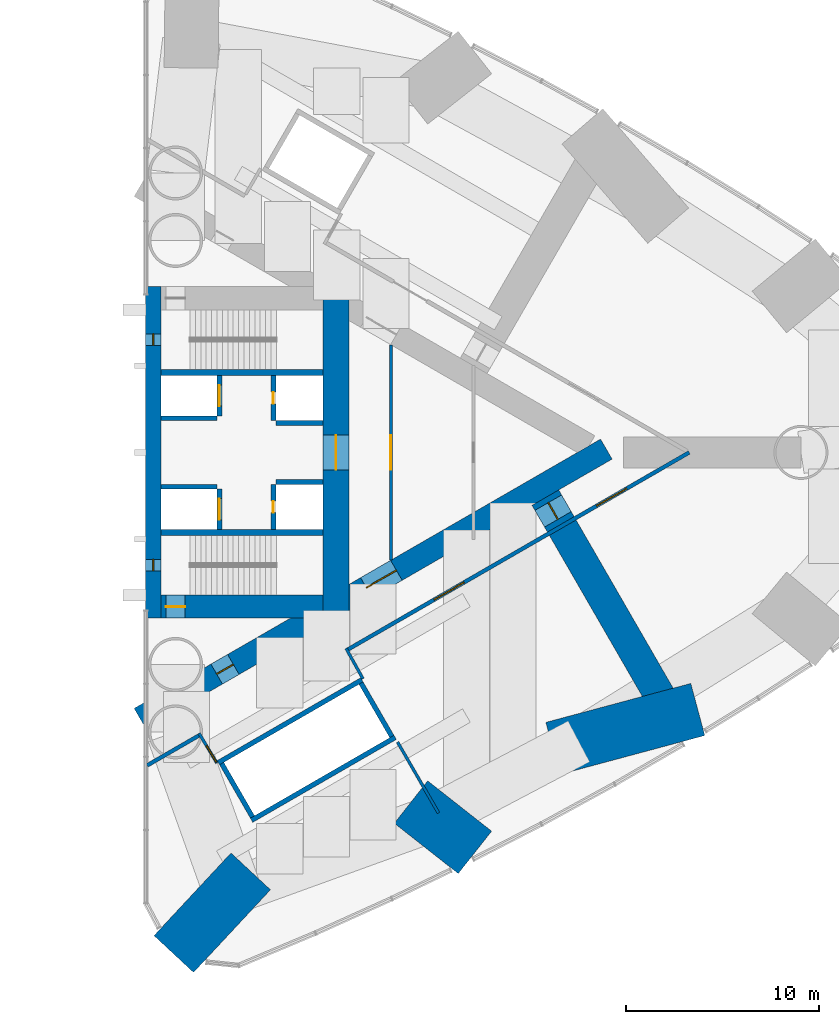
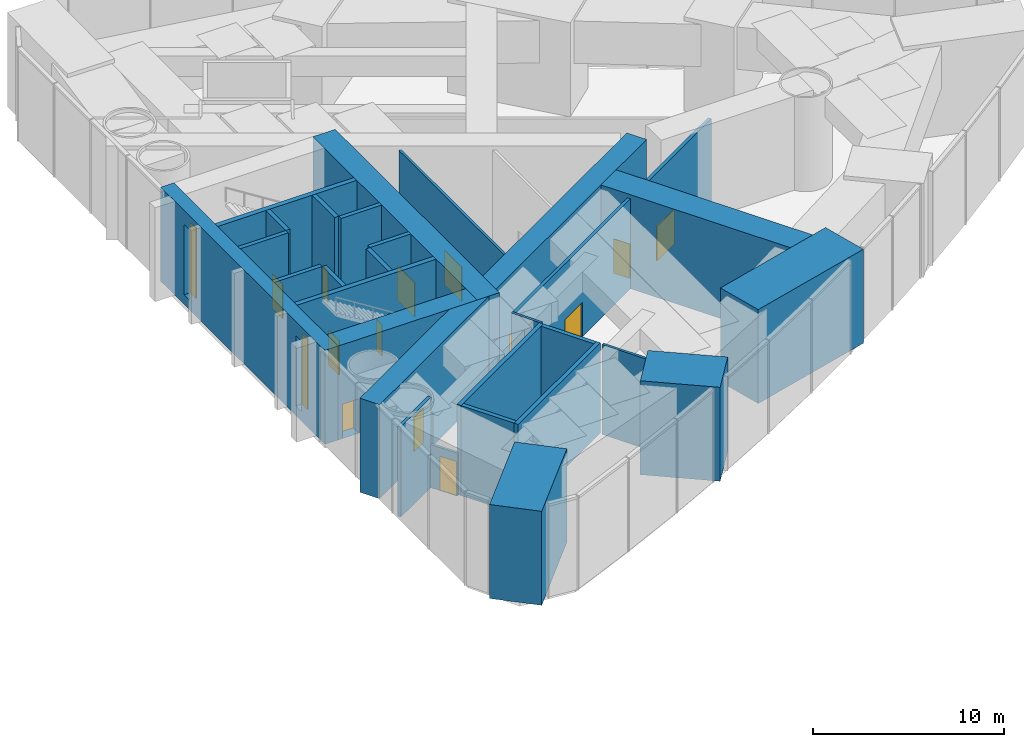
# One storey, part 15 of 18: 28 walls, 13 doors, 2 windows, 15 openings.
"""IFC4 building model written with IfcOpenShell, lengths in metres."""

import ifcopenshell
import ifcopenshell.guid

model = None  # the IFC model being written
_history = None  # IfcOwnerHistory: only IFC2X3 demands one
_inside = {}  # id of a spatial element -> (the spatial element, [elements in it])
_under = {}  # id of a project, library or spatial element -> (it, [spatial elements below it])
_declared = {}  # id of a project -> (the project, [libraries it declares])
_typed = {}  # id of a type object -> (the type object, [elements of that type])
_made_of = {}  # id of a material, layer set ... -> (it, [elements and type objects made of it])


def new_model(schema):
    """Start an empty IFC model of exactly this schema.

    Asked for "IFC4X3", IfcOpenShell would pick the latest addendum, in which some entities
    have other attributes; the version numbers below select the first issue.
    IFC2X3 requires an IfcOwnerHistory on every rooted entity: one is made here for all.
    """
    global model, _history
    if schema == "IFC4X3":
        model = ifcopenshell.file(schema_version=(4, 3, 0, 0))
    else:
        model = ifcopenshell.file(schema=schema)
    _inside.clear()
    _under.clear()
    _declared.clear()
    _typed.clear()
    _made_of.clear()
    _history = None
    if model.schema == "IFC2X3":
        org = make("IfcOrganization", Name="unknown")
        user = make(
            "IfcPersonAndOrganization",
            ThePerson=make("IfcPerson", FamilyName="unknown"),
            TheOrganization=org,
        )
        app = make(
            "IfcApplication",
            ApplicationDeveloper=org,
            Version="unknown",
            ApplicationFullName="unknown",
            ApplicationIdentifier="unknown",
        )
        _history = make(
            "IfcOwnerHistory",
            OwningUser=user,
            OwningApplication=app,
            ChangeAction="ADDED",
            CreationDate=0,
        )
    return model


def make(cls, **values):
    """One entity of the class cls with the attributes given. An attribute that is None is left unset."""
    return model.create_entity(
        cls, **{name: value for name, value in values.items() if value is not None}
    )


def rooted(cls, **values):
    """An entity with a GlobalId (a new one), such as an element, a storey or a relation."""
    return make(cls, GlobalId=ifcopenshell.guid.new(), OwnerHistory=_history, **values)


def si_unit(unit_type, name, prefix=None):
    """IfcSIUnit, for example si_unit("LENGTHUNIT", "METRE", prefix="MILLI")."""
    return make("IfcSIUnit", UnitType=unit_type, Prefix=prefix, Name=name)


def assignment(units):
    """IfcUnitAssignment: the units of a project."""
    return None if units is None else make("IfcUnitAssignment", Units=units)


def point(xyz):
    """IfcCartesianPoint."""
    return None if xyz is None else make("IfcCartesianPoint", Coordinates=xyz)


def direction(xyz):
    """IfcDirection."""
    return None if xyz is None else make("IfcDirection", DirectionRatios=xyz)


def frame(location, z_axis=None, x_axis=None):
    """IfcAxis2Placement3D, a coordinate frame: its origin and axes. An axis left out is left unset."""
    return make(
        "IfcAxis2Placement3D",
        Location=point(location),
        Axis=direction(z_axis),
        RefDirection=direction(x_axis),
    )


def frame_2d(location, x_axis=None):
    """IfcAxis2Placement2D, a coordinate frame in the plane: its origin and x axis."""
    return make(
        "IfcAxis2Placement2D", Location=point(location), RefDirection=direction(x_axis)
    )


def origin():
    """The frame at (0, 0, 0) with its axes left unset."""
    return frame((0.0, 0.0, 0.0))


def place(relative_to, where):
    """IfcLocalPlacement: puts the frame where relative to a parent placement (None: the world)."""
    return make(
        "IfcLocalPlacement", PlacementRelTo=relative_to, RelativePlacement=where
    )


def context(
    kind, dimensions, precision=None, world=None, true_north=None, identifier=None
):
    """IfcGeometricRepresentationContext, for example the 3D "Model" context."""
    return make(
        "IfcGeometricRepresentationContext",
        ContextIdentifier=identifier,
        ContextType=kind,
        CoordinateSpaceDimension=dimensions,
        Precision=precision,
        WorldCoordinateSystem=world,
        TrueNorth=true_north,
    )


def subcontext(parent, identifier, kind, view, scale=None):
    """IfcGeometricRepresentationSubContext, for example "Body" below "Model"."""
    return make(
        "IfcGeometricRepresentationSubContext",
        ContextIdentifier=identifier,
        ContextType=kind,
        ParentContext=parent,
        TargetScale=scale,
        TargetView=view,
    )


def project(units=None, contexts=None):
    """IfcProject with its units and contexts."""
    return rooted(
        "IfcProject",
        Name="project",
        RepresentationContexts=contexts,
        UnitsInContext=assignment(units),
    )


def spatial(cls, under=None, at=None, **own):
    """A site, building, storey or space (cls), placed at a placement, below another one or the project."""
    s = rooted(cls, ObjectPlacement=at, **own)
    if under is not None:
        _under.setdefault(under.id(), (under, []))[1].append(s)
    return s


def profile(cls, at=None, kind="AREA", **sizes):
    """A parametric profile (cls). Its sizes go by their IFC names, for example OverallWidth=200.0."""
    return make(cls, ProfileType=kind, Position=at, **sizes)


def rectangle(**sizes):
    """IfcRectangleProfileDef."""
    return profile("IfcRectangleProfileDef", **sizes)


def extrude(swept, where, along, depth):
    """IfcExtrudedAreaSolid: the profile swept, set in the frame where, extruded along a direction by depth."""
    return make(
        "IfcExtrudedAreaSolid",
        SweptArea=swept,
        Position=where,
        ExtrudedDirection=direction(along),
        Depth=depth,
    )


def shape(context_of_items, identifier, shape_type, items):
    """IfcShapeRepresentation: the items that make up one representation, for example the "Body"."""
    return make(
        "IfcShapeRepresentation",
        ContextOfItems=context_of_items,
        RepresentationIdentifier=identifier,
        RepresentationType=shape_type,
        Items=items,
    )


def material(Name=None, Category=None):
    """IfcMaterial."""
    return make("IfcMaterial", Name=Name, Category=Category)


def layer(
    of_material, thickness, ventilated=None, Name=None, Category=None, Priority=None
):
    """IfcMaterialLayer: one layer of a wall or slab, of a material (None: an air gap)."""
    return make(
        "IfcMaterialLayer",
        Material=of_material,
        LayerThickness=thickness,
        IsVentilated=ventilated,
        Name=Name,
        Category=Category,
        Priority=Priority,
    )


def layer_set(layers, Name=None):
    """IfcMaterialLayerSet."""
    return make("IfcMaterialLayerSet", MaterialLayers=layers, LayerSetName=Name)


def made_of(thing, what):
    """Note that an element or type object is made of a material, layer set ...; save() writes the relation."""
    if what is not None:
        _made_of.setdefault(what.id(), (what, []))[1].append(thing)
    return thing


def type_object(cls, material=None, **own):
    """A type object (cls), such as IfcWallType, which elements share."""
    return made_of(rooted(cls, **own), material)


def element(
    cls,
    number,
    at=None,
    inside=None,
    cuts=None,
    type_object=None,
    material=None,
    context=None,
    identifier="Body",
    shape_type=None,
    held_by="IfcProductDefinitionShape",
    body=None,
    shapes=None,
    **own,
):
    """One element of the class cls, such as IfcWall. Its Tag is "e" and its number.

    at: its placement. inside: the storey or other place that contains it. cuts: it is an
    opening in that element (IfcRelVoidsElement). A single representation is given by context,
    identifier, shape_type and body (its items); several are given by shapes. held_by: the class
    of the entity that holds the representations. save() writes the other relations.
    """
    e = rooted(cls, Tag="e%d" % number, ObjectPlacement=at, **own)
    if body is not None:
        shapes = [shape(context, identifier, shape_type, body)]
    if shapes is not None:
        e.Representation = make(held_by, Representations=shapes)
    if inside is not None:
        _inside.setdefault(inside.id(), (inside, []))[1].append(e)
    if cuts is not None:
        rooted(
            "IfcRelVoidsElement", RelatingBuildingElement=cuts, RelatedOpeningElement=e
        )
    if type_object is not None:
        _typed.setdefault(type_object.id(), (type_object, []))[1].append(e)
    return made_of(e, material)


def fill(opening, filler):
    """IfcRelFillsElement: the door or window that sits in an opening."""
    return rooted(
        "IfcRelFillsElement",
        RelatingOpeningElement=opening,
        RelatedBuildingElement=filler,
    )


def aggregate(whole, parts):
    """IfcRelAggregates: a whole, such as a stair, and the parts it consists of."""
    return rooted("IfcRelAggregates", RelatingObject=whole, RelatedObjects=parts)


def save(model, path):
    """Write the relations noted so far, then the file.

    IfcRelAggregates (storeys below a building ...), IfcRelContainedInSpatialStructure (elements
    in a storey), IfcRelDefinesByType, IfcRelAssociatesMaterial and IfcRelDeclares: one each for
    every whole, place, type object, material and project.
    """
    for whole, parts in _under.values():
        aggregate(whole, parts)
    for where, things in _inside.values():
        rooted(
            "IfcRelContainedInSpatialStructure",
            RelatedElements=things,
            RelatingStructure=where,
        )
    for kind, things in _typed.values():
        rooted("IfcRelDefinesByType", RelatedObjects=things, RelatingType=kind)
    for what, things in _made_of.values():
        rooted("IfcRelAssociatesMaterial", RelatedObjects=things, RelatingMaterial=what)
    for by, libraries in _declared.values():
        rooted("IfcRelDeclares", RelatingContext=by, RelatedDefinitions=libraries)
    model.write(path)


model = new_model("IFC4")

# Units and contexts
model_context = context("Model", 3, precision=1e-05, world=origin(), true_north=direction((0.0, 1.0)))
body_context = subcontext(model_context, "Body", "Model", "MODEL_VIEW")
ifc_project = project(units=[si_unit("LENGTHUNIT", "METRE"), si_unit("AREAUNIT", "SQUARE_METRE"), si_unit("VOLUMEUNIT", "CUBIC_METRE"), si_unit("PLANEANGLEUNIT", "RADIAN"), si_unit("MASSUNIT", "GRAM", prefix="KILO")], contexts=[model_context])

# Site, building, storey
site_placement = place(None, origin())
site = spatial("IfcSite", under=ifc_project, at=site_placement, CompositionType="ELEMENT")
building_placement = place(site_placement, origin())
building = spatial("IfcBuilding", under=site, at=building_placement, Name="Lancet Gate Hotel", CompositionType="ELEMENT")
storey_placement = place(building_placement, frame((0.0, 0.0, 81.0)))
storey = spatial("IfcBuildingStorey", under=building, at=storey_placement, Name="L21", CompositionType="ELEMENT", Elevation=81.0)

# Wall, openings, doors
ifc_material_1 = material(Name="Concrete C70/85", Category="concrete")
ifc_layer_1 = layer(ifc_material_1, 1.199951171875)
ifc_layer_set_1 = layer_set([ifc_layer_1], Name="Buttress wall 1200")
wall_type_1 = type_object("IfcWallType", Name="Buttress wall 1200", PredefinedType="SHEAR", material=ifc_layer_set_1)
wall_1_placement = place(storey_placement, frame((27.199951171875, -13.800048828125, 0.0), z_axis=(0.0, 0.0, 1.0), x_axis=(0.866027159892, 0.499996958321, 0.0)))
wall_1 = element("IfcWall", 1, at=wall_1_placement, inside=storey, type_object=wall_type_1, Name="T2 buttress wall S L21", PredefinedType="SHEAR", context=body_context, shape_type="SweptSolid", body=[
    extrude(rectangle(XDim=27.946533203125, YDim=1.199951171875, at=frame_2d((13.97314453125, 0.0))), origin(), (0.0, 0.0, 1.0), 6.0),
])
opening_1_placement = place(wall_1_placement, frame((4.60009765625, 0.0, 0.0)))
opening_1 = element("IfcOpeningElement", 2, at=opening_1_placement, cuts=wall_1, Name="Opening T2-L21-LS", PredefinedType="OPENING", context=body_context, shape_type="SweptSolid", body=[
    extrude(rectangle(XDim=1.0, YDim=2.199951171875, at=frame_2d((0.5, 1.10009765625))), frame((0.0, 0.60986328125, 0.0), z_axis=(0.0, -1.0, 0.0), x_axis=(1.0, 0.0, 0.0)), (0.0, 0.0, 1.0), 1.219970703125),
])
opening_2_placement = place(wall_1_placement, frame((13.567626953125, 0.0, 0.0)))
opening_2 = element("IfcOpeningElement", 3, at=opening_2_placement, cuts=wall_1, Name="Opening T2-L21-LHS", PredefinedType="OPENING", context=body_context, shape_type="SweptSolid", body=[
    extrude(rectangle(XDim=1.800048828125, YDim=2.199951171875, at=frame_2d((0.89990234375, 1.10009765625))), frame((0.0, 0.60986328125, 0.0), z_axis=(0.0, -1.0, 0.0), x_axis=(1.0, 0.0, 0.0)), (0.0, 0.0, 1.0), 1.219970703125),
])
ifc_material_2 = material(Name="Timber door set", Category="wood")
door_type_1 = type_object("IfcDoorType", Name="Lobby double door 1800", OperationType="DOUBLE_DOOR_SINGLE_SWING", PredefinedType="DOOR", material=ifc_material_2)
door_1_placement = place(opening_2_placement, origin())
door_1 = element("IfcDoor", 4, at=door_1_placement, inside=storey, type_object=door_type_1, Name="T2-L21-LHS", OperationType="DOUBLE_DOOR_SINGLE_SWING", OverallHeight=2.199951171875, OverallWidth=1.800048828125, PredefinedType="DOOR", context=body_context, shape_type="SweptSolid", body=[
    extrude(rectangle(XDim=1.800048828125, YDim=2.199951171875, at=frame_2d((0.89990234375, 1.10009765625))), frame((0.0, 0.02490234375, 0.0), z_axis=(0.0, -1.0, 0.0), x_axis=(1.0, 0.0, 0.0)), (0.0, 0.0, 1.0), 0.050048828125),
])
fill(opening_2, door_1)
ifc_material_3 = material(Name="Timber door set", Category="wood")
door_type_2 = type_object("IfcDoorType", Name="Stair lobby door 1000", OperationType="SINGLE_SWING_LEFT", PredefinedType="DOOR", material=ifc_material_3)
door_2_placement = place(opening_1_placement, origin())
door_2 = element("IfcDoor", 5, at=door_2_placement, inside=storey, type_object=door_type_2, Name="T2-L21-LS", OperationType="SINGLE_SWING_LEFT", OverallHeight=2.199951171875, OverallWidth=1.0, PredefinedType="DOOR", context=body_context, shape_type="SweptSolid", body=[
    extrude(rectangle(XDim=1.0, YDim=2.199951171875, at=frame_2d((0.5, 1.10009765625))), frame((0.0, 0.02490234375, 0.0), z_axis=(0.0, -1.0, 0.0), x_axis=(1.0, 0.0, 0.0)), (0.0, 0.0, 1.0), 0.050048828125),
])
fill(opening_1, door_2)

# Wall, opening, door
ifc_material_4 = material(Name="Concrete C70/85", Category="concrete")
ifc_layer_2 = layer(ifc_material_4, 1.35009765625)
ifc_layer_set_2 = layer_set([ifc_layer_2], Name="Core back wall 1350, outrigger storeys")
wall_type_2 = type_object("IfcWallType", Name="Core back wall 1350, outrigger storeys", PredefinedType="SHEAR", material=ifc_layer_set_2)
wall_2_placement = place(storey_placement, frame((37.375, -8.60009765625, 0.0), z_axis=(0.0, 0.0, 1.0), x_axis=(0.0, 1.0, 0.0)))
wall_2 = element("IfcWall", 6, at=wall_2_placement, inside=storey, type_object=wall_type_2, Name="T2 core wall back L21", PredefinedType="SHEAR", context=body_context, shape_type="SweptSolid", body=[
    extrude(rectangle(XDim=17.2001953125, YDim=1.35009765625, at=frame_2d((8.60009765625, 0.0))), origin(), (0.0, 0.0, 1.0), 6.0),
])
opening_3_placement = place(wall_2_placement, frame((7.699951171875, 0.0, 0.0)))
opening_3 = element("IfcOpeningElement", 7, at=opening_3_placement, cuts=wall_2, Name="Opening T2-L21-LL", PredefinedType="OPENING", context=body_context, shape_type="SweptSolid", body=[
    extrude(rectangle(XDim=1.800048828125, YDim=2.199951171875, at=frame_2d((0.89990234375, 1.10009765625))), frame((0.0, 0.68505859375, 0.0), z_axis=(0.0, -1.0, 0.0), x_axis=(1.0, 0.0, 0.0)), (0.0, 0.0, 1.0), 1.3701171875),
])
door_3_placement = place(opening_3_placement, origin())
door_3 = element("IfcDoor", 8, at=door_3_placement, inside=storey, type_object=door_type_1, Name="T2-L21-LL", OperationType="DOUBLE_DOOR_SINGLE_SWING", OverallHeight=2.199951171875, OverallWidth=1.800048828125, PredefinedType="DOOR", context=body_context, shape_type="SweptSolid", body=[
    extrude(rectangle(XDim=1.800048828125, YDim=2.199951171875, at=frame_2d((0.89990234375, 1.10009765625))), frame((0.0, 0.02490234375, 0.0), z_axis=(0.0, -1.0, 0.0), x_axis=(1.0, 0.0, 0.0)), (0.0, 0.0, 1.0), 0.050048828125),
])
fill(opening_3, door_3)

ifc_material_5 = material(Name="Concrete C70/85", Category="concrete")
ifc_layer_3 = layer(ifc_material_5, 1.199951171875)
ifc_layer_set_3 = layer_set([ifc_layer_3], Name="Core wall 1200")
wall_type_3 = type_object("IfcWallType", Name="Core wall 1200", PredefinedType="SHEAR", material=ifc_layer_set_3)
wall_3_placement = place(storey_placement, frame((28.300048828125, -8.0, 0.0), z_axis=(0.0, 0.0, 1.0), x_axis=(1.0, 0.0, 0.0)))
wall_3 = element("IfcWall", 9, at=wall_3_placement, inside=storey, type_object=wall_type_3, Name="T2 core wall side-S L21", PredefinedType="SHEAR", context=body_context, shape_type="SweptSolid", body=[
    extrude(rectangle(XDim=8.39990234375, YDim=1.199951171875, at=frame_2d((4.199951171875, 0.0))), origin(), (0.0, 0.0, 1.0), 6.0),
])
opening_4_placement = place(wall_3_placement, frame((0.25, 0.0, 0.0)))
opening_4 = element("IfcOpeningElement", 10, at=opening_4_placement, cuts=wall_3, Name="Opening T2-L21-ST1", PredefinedType="OPENING", context=body_context, shape_type="SweptSolid", body=[
    extrude(rectangle(XDim=1.0, YDim=2.199951171875, at=frame_2d((0.5, 1.10009765625))), frame((0.0, 0.60986328125, 0.0), z_axis=(0.0, -1.0, 0.0), x_axis=(1.0, 0.0, 0.0)), (0.0, 0.0, 1.0), 1.219970703125),
])
ifc_material_6 = material(Name="Timber door set", Category="wood")
door_type_3 = type_object("IfcDoorType", Name="Stair door 1000", OperationType="SINGLE_SWING_RIGHT", PredefinedType="DOOR", material=ifc_material_6)
door_4_placement = place(opening_4_placement, origin())
door_4 = element("IfcDoor", 11, at=door_4_placement, inside=storey, type_object=door_type_3, Name="T2-L21-ST1", OperationType="SINGLE_SWING_RIGHT", OverallHeight=2.199951171875, OverallWidth=1.0, PredefinedType="DOOR", context=body_context, shape_type="SweptSolid", body=[
    extrude(rectangle(XDim=1.0, YDim=2.199951171875, at=frame_2d((0.5, 1.10009765625))), frame((0.0, 0.02490234375, 0.0), z_axis=(0.0, -1.0, 0.0), x_axis=(1.0, 0.0, 0.0)), (0.0, 0.0, 1.0), 0.050048828125),
])
fill(opening_4, door_4)

# Wall, openings, windows
ifc_material_7 = material(Name="Concrete C70/85", Category="concrete")
ifc_layer_4 = layer(ifc_material_7, 0.800048828125)
ifc_layer_set_4 = layer_set([ifc_layer_4], Name="Core wall 800")
wall_type_4 = type_object("IfcWallType", Name="Core wall 800", PredefinedType="SHEAR", material=ifc_layer_set_4)
wall_4_placement = place(storey_placement, frame((27.89990234375, -8.60009765625, 0.0), z_axis=(0.0, 0.0, 1.0), x_axis=(0.0, 1.0, 0.0)))
wall_4 = element("IfcWall", 12, at=wall_4_placement, inside=storey, type_object=wall_type_4, Name="T2 core wall front L21", PredefinedType="SHEAR", context=body_context, shape_type="SweptSolid", body=[
    extrude(rectangle(XDim=17.2001953125, YDim=0.800048828125, at=frame_2d((8.60009765625, 0.0))), origin(), (0.0, 0.0, 1.0), 6.0),
])
opening_5_placement = place(wall_4_placement, frame((2.449951171875, 0.0, 0.60009765625)))
opening_5 = element("IfcOpeningElement", 13, at=opening_5_placement, cuts=wall_4, Name="Opening LW3", PredefinedType="OPENING", context=body_context, shape_type="SweptSolid", body=[
    extrude(rectangle(XDim=0.60009765625, YDim=4.5, at=frame_2d((0.300048828125, 2.25))), frame((0.0, 0.409912109375, 0.0), z_axis=(0.0, -1.0, 0.0), x_axis=(1.0, 0.0, 0.0)), (0.0, 0.0, 1.0), 0.820068359375),
])
opening_6_placement = place(wall_4_placement, frame((14.14990234375, 0.0, 0.60009765625)))
opening_6 = element("IfcOpeningElement", 14, at=opening_6_placement, cuts=wall_4, Name="Opening LW3", PredefinedType="OPENING", context=body_context, shape_type="SweptSolid", body=[
    extrude(rectangle(XDim=0.60009765625, YDim=4.5, at=frame_2d((0.300048828125, 2.25))), frame((0.0, 0.409912109375, 0.0), z_axis=(0.0, -1.0, 0.0), x_axis=(1.0, 0.0, 0.0)), (0.0, 0.0, 1.0), 0.820068359375),
])
ifc_material_8 = material(Name="Fire-resisting glazed steel window", Category="steel")
window_type = type_object("IfcWindowType", Name="Lancet window 600x4500", PartitioningType="SINGLE_PANEL", PredefinedType="WINDOW", material=ifc_material_8)
window_1_placement = place(opening_5_placement, origin())
window_1 = element("IfcWindow", 15, at=window_1_placement, inside=storey, type_object=window_type, Name="T2 stair window S L21", OverallHeight=4.5, OverallWidth=0.60009765625, PartitioningType="SINGLE_PANEL", PredefinedType="WINDOW", context=body_context, shape_type="SweptSolid", body=[
    extrude(rectangle(XDim=0.60009765625, YDim=4.5, at=frame_2d((0.300048828125, 2.25))), frame((0.0, 0.030029296875, 0.0), z_axis=(0.0, -1.0, 0.0), x_axis=(1.0, 0.0, 0.0)), (0.0, 0.0, 1.0), 0.06005859375),
])
fill(opening_5, window_1)
window_2_placement = place(opening_6_placement, origin())
window_2 = element("IfcWindow", 16, at=window_2_placement, inside=storey, type_object=window_type, Name="T2 stair window N L21", OverallHeight=4.5, OverallWidth=0.60009765625, PartitioningType="SINGLE_PANEL", PredefinedType="WINDOW", context=body_context, shape_type="SweptSolid", body=[
    extrude(rectangle(XDim=0.60009765625, YDim=4.5, at=frame_2d((0.300048828125, 2.25))), frame((0.0, 0.030029296875, 0.0), z_axis=(0.0, -1.0, 0.0), x_axis=(1.0, 0.0, 0.0)), (0.0, 0.0, 1.0), 0.06005859375),
])
fill(opening_6, window_2)

# Wall
ifc_material_9 = material(Name="Gypsum board partition")
ifc_layer_5 = layer(ifc_material_9, 0.199951171875)
ifc_layer_set_5 = layer_set([ifc_layer_5], Name="Corridor wall 200")
wall_type_5 = type_object("IfcWallType", Name="Corridor wall 200", PredefinedType="PARTITIONING", material=ifc_layer_set_5)
wall_5_placement = place(storey_placement, frame((27.572021484375, -16.240966796875, 0.0), z_axis=(0.0, 0.0, 1.0), x_axis=(0.866029654818, 0.499992636921, 0.0)))
element("IfcWall", 17, at=wall_5_placement, inside=storey, type_object=wall_type_5, Name="T2 corridor wall 200 L21", PredefinedType="PARTITIONING", context=body_context, shape_type="SweptSolid", body=[
    extrude(rectangle(XDim=3.15478515625, YDim=0.199951171875, at=frame_2d((1.577392578125, 0.0))), origin(), (0.0, 0.0, 1.0), 5.75),
])

# Wall, openings, doors
wall_6_placement = place(storey_placement, frame((37.9599609375, -10.243408203125, 0.0), z_axis=(0.0, 0.0, 1.0), x_axis=(0.866026429433, 0.499998223521, 0.0)))
wall_6 = element("IfcWall", 18, at=wall_6_placement, inside=storey, type_object=wall_type_5, Name="T2 corridor wall 200 L21", PredefinedType="PARTITIONING", context=body_context, shape_type="SweptSolid", body=[
    extrude(rectangle(XDim=20.48681640625, YDim=0.199951171875, at=frame_2d((10.243408203125, 0.0))), origin(), (0.0, 0.0, 1.0), 5.75),
])
opening_7_placement = place(wall_6_placement, frame((14.943115234375, 0.0, 0.0)))
opening_7 = element("IfcOpeningElement", 19, at=opening_7_placement, cuts=wall_6, Name="Opening T2-L21-RA04", PredefinedType="OPENING", context=body_context, shape_type="SweptSolid", body=[
    extrude(rectangle(XDim=1.800048828125, YDim=2.199951171875, at=frame_2d((0.89990234375, 1.10009765625))), frame((0.0, 0.10986328125, 0.0), z_axis=(0.0, -1.0, 0.0), x_axis=(1.0, 0.0, 0.0)), (0.0, 0.0, 1.0), 0.219970703125),
])
opening_8_placement = place(wall_6_placement, frame((5.200439453125, 0.0, 0.0)))
opening_8 = element("IfcOpeningElement", 20, at=opening_8_placement, cuts=wall_6, Name="Opening T2-L21-RA02", PredefinedType="OPENING", context=body_context, shape_type="SweptSolid", body=[
    extrude(rectangle(XDim=1.800048828125, YDim=2.199951171875, at=frame_2d((0.89990234375, 1.10009765625))), frame((0.0, 0.10986328125, 0.0), z_axis=(0.0, -1.0, 0.0), x_axis=(1.0, 0.0, 0.0)), (0.0, 0.0, 1.0), 0.219970703125),
])
ifc_material_10 = material(Name="Timber door set", Category="wood")
door_type_4 = type_object("IfcDoorType", Name="Double door 1800", OperationType="DOUBLE_DOOR_SINGLE_SWING", PredefinedType="DOOR", material=ifc_material_10)
door_5_placement = place(opening_7_placement, origin())
door_5 = element("IfcDoor", 21, at=door_5_placement, inside=storey, type_object=door_type_4, Name="T2-L21-RA04", OperationType="DOUBLE_DOOR_SINGLE_SWING", OverallHeight=2.199951171875, OverallWidth=1.800048828125, PredefinedType="DOOR", context=body_context, shape_type="SweptSolid", body=[
    extrude(rectangle(XDim=1.800048828125, YDim=2.199951171875, at=frame_2d((0.89990234375, 1.10009765625))), frame((0.0, 0.02490234375, 0.0), z_axis=(0.0, -1.0, 0.0), x_axis=(1.0, 0.0, 0.0)), (0.0, 0.0, 1.0), 0.050048828125),
])
fill(opening_7, door_5)
door_6_placement = place(opening_8_placement, origin())
door_6 = element("IfcDoor", 22, at=door_6_placement, inside=storey, type_object=door_type_4, Name="T2-L21-RA02", OperationType="DOUBLE_DOOR_SINGLE_SWING", OverallHeight=2.199951171875, OverallWidth=1.800048828125, PredefinedType="DOOR", context=body_context, shape_type="SweptSolid", body=[
    extrude(rectangle(XDim=1.800048828125, YDim=2.199951171875, at=frame_2d((0.89990234375, 1.10009765625))), frame((0.0, 0.02490234375, 0.0), z_axis=(0.0, -1.0, 0.0), x_axis=(1.0, 0.0, 0.0)), (0.0, 0.0, 1.0), 0.050048828125),
])
fill(opening_8, door_6)

# Walls
ifc_material_11 = material(Name="Gypsum board partition")
ifc_layer_6 = layer(ifc_material_11, 0.25)
ifc_layer_set_6 = layer_set([ifc_layer_6], Name="Lift shaft partition 250")
wall_type_6 = type_object("IfcWallType", Name="Lift shaft partition 250", PredefinedType="PARTITIONING", material=ifc_layer_set_6)
for number, where, z_axis, x_axis, name in (
    (23, (31.2705078125, -16.09716796875, 0.0), (0.0, 0.0, 1.0), (0.86604045752, 0.499973925258, 0.0), "T2 lift shaft wall LR L21"),
    (24, (32.99560546875, -19.085693359375, 0.0), (0.0, 0.0, 1.0), (0.866028165386, 0.499995216735, 0.0), "T2 lift shaft wall LR L21"),
):
    element("IfcWall", number, at=place(storey_placement, frame(where, z_axis=z_axis, x_axis=x_axis)), inside=storey, type_object=wall_type_6, Name=name, PredefinedType="PARTITIONING", context=body_context, shape_type="SweptSolid", body=[
        extrude(rectangle(XDim=8.60009765625, YDim=0.25, at=frame_2d((4.300048828125, 0.0))), origin(), (0.0, 0.0, 1.0), 5.75),
    ])
for number, where, z_axis, x_axis, name in (
    (25, (31.441162109375, -16.14306640625, 0.0), (0.0, 0.0, 1.0), (0.499929347863, -0.866066190972, 0.0), "T2 lift shaft wall LR L21"),
    (26, (38.672607421875, -11.968017578125, 0.0), (0.0, 0.0, 1.0), (0.499929347863, -0.866066190972, 0.0), "T2 lift shaft wall LR L21"),
):
    element("IfcWall", number, at=place(storey_placement, frame(where, z_axis=z_axis, x_axis=x_axis)), inside=storey, type_object=wall_type_6, Name=name, PredefinedType="PARTITIONING", context=body_context, shape_type="SweptSolid", body=[
        extrude(rectangle(XDim=3.20068359375, YDim=0.25, at=frame_2d((1.600341796875, 0.0))), origin(), (0.0, 0.0, 1.0), 5.75),
    ])

# Wall, opening, door
ifc_material_12 = material(Name="Concrete C50/60", Category="concrete")
ifc_layer_7 = layer(ifc_material_12, 0.25)
ifc_layer_set_7 = layer_set([ifc_layer_7], Name="Lift shaft wall 250")
wall_type_7 = type_object("IfcWallType", Name="Lift shaft wall 250", PredefinedType="SHEAR", material=ifc_layer_set_7)
wall_7_placement = place(storey_placement, frame((31.324951171875, -4.0, 0.0), z_axis=(0.0, 0.0, 1.0), x_axis=(0.0, 1.0, 0.0)))
wall_7 = element("IfcWall", 27, at=wall_7_placement, inside=storey, type_object=wall_type_7, Name="T2 core wall row1-S L21", PredefinedType="SHEAR", context=body_context, shape_type="SweptSolid", body=[
    extrude(rectangle(XDim=2.10009765625, YDim=0.25, at=frame_2d((1.050048828125, 0.0))), origin(), (0.0, 0.0, 1.0), 6.0),
])
opening_9_placement = place(wall_7_placement, frame((0.5, 0.0, 0.0)))
opening_9 = element("IfcOpeningElement", 28, at=opening_9_placement, cuts=wall_7, Name="Opening T2-SL1-L21", PredefinedType="OPENING", context=body_context, shape_type="SweptSolid", body=[
    extrude(rectangle(XDim=1.10009765625, YDim=2.199951171875, at=frame_2d((0.550048828125, 1.10009765625))), frame((0.0, 0.135009765625, 0.0), z_axis=(0.0, -1.0, 0.0), x_axis=(1.0, 0.0, 0.0)), (0.0, 0.0, 1.0), 0.27001953125),
])
ifc_material_13 = material(Name="Timber door set", Category="wood")
door_type_5 = type_object("IfcDoorType", Name="Service lift landing door 1100", OperationType="SLIDING_TO_LEFT", PredefinedType="USERDEFINED", material=ifc_material_13)
door_7_placement = place(opening_9_placement, origin())
door_7 = element("IfcDoor", 29, at=door_7_placement, inside=storey, type_object=door_type_5, Name="T2-SL1-L21", ObjectType="LIFT LANDING DOOR", OperationType="SLIDING_TO_LEFT", OverallHeight=2.199951171875, OverallWidth=1.10009765625, PredefinedType="USERDEFINED", context=body_context, shape_type="SweptSolid", body=[
    extrude(rectangle(XDim=1.10009765625, YDim=2.199951171875, at=frame_2d((0.550048828125, 1.10009765625))), frame((0.0, 0.02490234375, 0.0), z_axis=(0.0, -1.0, 0.0), x_axis=(1.0, 0.0, 0.0)), (0.0, 0.0, 1.0), 0.050048828125),
])
fill(opening_9, door_7)

wall_8_placement = place(storey_placement, frame((34.125, -4.0, 0.0), z_axis=(0.0, 0.0, 1.0), x_axis=(0.0, 1.0, 0.0)))
wall_8 = element("IfcWall", 30, at=wall_8_placement, inside=storey, type_object=wall_type_7, Name="T2 core wall row2-S L21", PredefinedType="SHEAR", context=body_context, shape_type="SweptSolid", body=[
    extrude(rectangle(XDim=2.35009765625, YDim=0.25, at=frame_2d((1.175048828125, 0.0))), origin(), (0.0, 0.0, 1.0), 6.0),
])
opening_10_placement = place(wall_8_placement, frame((0.875, 0.0, 0.0)))
opening_10 = element("IfcOpeningElement", 31, at=opening_10_placement, cuts=wall_8, Name="Opening T2-OL3-L21-E", PredefinedType="OPENING", context=body_context, shape_type="SweptSolid", body=[
    extrude(rectangle(XDim=0.60009765625, YDim=2.0, at=frame_2d((0.300048828125, 1.0))), frame((0.0, 0.135009765625, 0.0), z_axis=(0.0, -1.0, 0.0), x_axis=(1.0, 0.0, 0.0)), (0.0, 0.0, 1.0), 0.27001953125),
])
ifc_material_14 = material(Name="Steel door set", Category="steel")
door_type_6 = type_object("IfcDoorType", Name="Lift shaft emergency door 600x2000", OperationType="SLIDING_TO_LEFT", PredefinedType="DOOR", material=ifc_material_14)
door_8_placement = place(opening_10_placement, origin())
door_8 = element("IfcDoor", 32, at=door_8_placement, inside=storey, type_object=door_type_6, Name="T2-OL3-L21-E", OperationType="SLIDING_TO_LEFT", OverallHeight=2.0, OverallWidth=0.60009765625, PredefinedType="DOOR", context=body_context, shape_type="SweptSolid", body=[
    extrude(rectangle(XDim=0.60009765625, YDim=2.0, at=frame_2d((0.300048828125, 1.0))), frame((0.0, 0.02490234375, 0.0), z_axis=(0.0, -1.0, 0.0), x_axis=(1.0, 0.0, 0.0)), (0.0, 0.0, 1.0), 0.050048828125),
])
fill(opening_10, door_8)

# Walls
wall_9_placement = place(storey_placement, frame((28.300048828125, -1.77490234375, 0.0), z_axis=(0.0, 0.0, 1.0), x_axis=(1.0, 0.0, 0.0)))
element("IfcWall", 33, at=wall_9_placement, inside=storey, type_object=wall_type_7, Name="T2 core wall pass1-S L21", PredefinedType="SHEAR", context=body_context, shape_type="SweptSolid", body=[
    extrude(rectangle(XDim=2.89990234375, YDim=0.25, at=frame_2d((1.449951171875, 0.0))), origin(), (0.0, 0.0, 1.0), 6.0),
])
wall_10_placement = place(storey_placement, frame((34.25, -1.52490234375, 0.0), z_axis=(0.0, 0.0, 1.0), x_axis=(1.0, 0.0, 0.0)))
element("IfcWall", 34, at=wall_10_placement, inside=storey, type_object=wall_type_7, Name="T2 core wall pass2-S L21", PredefinedType="SHEAR", context=body_context, shape_type="SweptSolid", body=[
    extrude(rectangle(XDim=2.449951171875, YDim=0.25, at=frame_2d((1.22509765625, 0.0))), origin(), (0.0, 0.0, 1.0), 6.0),
])

# Wall, opening, door
wall_11_placement = place(storey_placement, frame((31.324951171875, 1.89990234375, 0.0), z_axis=(0.0, 0.0, 1.0), x_axis=(0.0, 1.0, 0.0)))
wall_11 = element("IfcWall", 35, at=wall_11_placement, inside=storey, type_object=wall_type_7, Name="T2 core wall row1-N L21", PredefinedType="SHEAR", context=body_context, shape_type="SweptSolid", body=[
    extrude(rectangle(XDim=2.10009765625, YDim=0.25, at=frame_2d((1.050048828125, 0.0))), origin(), (0.0, 0.0, 1.0), 6.0),
])
opening_11_placement = place(wall_11_placement, frame((0.5, 0.0, 0.0)))
opening_11 = element("IfcOpeningElement", 36, at=opening_11_placement, cuts=wall_11, Name="Opening T2-FL2-L21", PredefinedType="OPENING", context=body_context, shape_type="SweptSolid", body=[
    extrude(rectangle(XDim=1.10009765625, YDim=2.199951171875, at=frame_2d((0.550048828125, 1.10009765625))), frame((0.0, 0.135009765625, 0.0), z_axis=(0.0, -1.0, 0.0), x_axis=(1.0, 0.0, 0.0)), (0.0, 0.0, 1.0), 0.27001953125),
])
ifc_material_15 = material(Name="Steel door set", Category="steel")
door_type_7 = type_object("IfcDoorType", Name="Firefighting lift landing door 1100", OperationType="SLIDING_TO_LEFT", PredefinedType="USERDEFINED", material=ifc_material_15)
door_9_placement = place(opening_11_placement, origin())
door_9 = element("IfcDoor", 37, at=door_9_placement, inside=storey, type_object=door_type_7, Name="T2-FL2-L21", ObjectType="LIFT LANDING DOOR", OperationType="SLIDING_TO_LEFT", OverallHeight=2.199951171875, OverallWidth=1.10009765625, PredefinedType="USERDEFINED", context=body_context, shape_type="SweptSolid", body=[
    extrude(rectangle(XDim=1.10009765625, YDim=2.199951171875, at=frame_2d((0.550048828125, 1.10009765625))), frame((0.0, 0.02490234375, 0.0), z_axis=(0.0, -1.0, 0.0), x_axis=(1.0, 0.0, 0.0)), (0.0, 0.0, 1.0), 0.050048828125),
])
fill(opening_11, door_9)

wall_12_placement = place(storey_placement, frame((34.125, 1.64990234375, 0.0), z_axis=(0.0, 0.0, 1.0), x_axis=(0.0, 1.0, 0.0)))
wall_12 = element("IfcWall", 38, at=wall_12_placement, inside=storey, type_object=wall_type_7, Name="T2 core wall row2-N L21", PredefinedType="SHEAR", context=body_context, shape_type="SweptSolid", body=[
    extrude(rectangle(XDim=2.35009765625, YDim=0.25, at=frame_2d((1.175048828125, 0.0))), origin(), (0.0, 0.0, 1.0), 6.0),
])
opening_12_placement = place(wall_12_placement, frame((0.875, 0.0, 0.0)))
opening_12 = element("IfcOpeningElement", 39, at=opening_12_placement, cuts=wall_12, Name="Opening T2-OL4-L21-E", PredefinedType="OPENING", context=body_context, shape_type="SweptSolid", body=[
    extrude(rectangle(XDim=0.60009765625, YDim=2.0, at=frame_2d((0.300048828125, 1.0))), frame((0.0, 0.135009765625, 0.0), z_axis=(0.0, -1.0, 0.0), x_axis=(1.0, 0.0, 0.0)), (0.0, 0.0, 1.0), 0.27001953125),
])
door_10_placement = place(opening_12_placement, origin())
door_10 = element("IfcDoor", 40, at=door_10_placement, inside=storey, type_object=door_type_6, Name="T2-OL4-L21-E", OperationType="SLIDING_TO_LEFT", OverallHeight=2.0, OverallWidth=0.60009765625, PredefinedType="DOOR", context=body_context, shape_type="SweptSolid", body=[
    extrude(rectangle(XDim=0.60009765625, YDim=2.0, at=frame_2d((0.300048828125, 1.0))), frame((0.0, 0.02490234375, 0.0), z_axis=(0.0, -1.0, 0.0), x_axis=(1.0, 0.0, 0.0)), (0.0, 0.0, 1.0), 0.050048828125),
])
fill(opening_12, door_10)

# Walls
wall_13_placement = place(storey_placement, frame((28.300048828125, 1.77490234375, 0.0), z_axis=(0.0, 0.0, 1.0), x_axis=(1.0, 0.0, 0.0)))
element("IfcWall", 41, at=wall_13_placement, inside=storey, type_object=wall_type_7, Name="T2 core wall pass1-N L21", PredefinedType="SHEAR", context=body_context, shape_type="SweptSolid", body=[
    extrude(rectangle(XDim=2.89990234375, YDim=0.25, at=frame_2d((1.449951171875, 0.0))), origin(), (0.0, 0.0, 1.0), 6.0),
])
wall_14_placement = place(storey_placement, frame((34.25, 1.52490234375, 0.0), z_axis=(0.0, 0.0, 1.0), x_axis=(1.0, 0.0, 0.0)))
element("IfcWall", 42, at=wall_14_placement, inside=storey, type_object=wall_type_7, Name="T2 core wall pass2-N L21", PredefinedType="SHEAR", context=body_context, shape_type="SweptSolid", body=[
    extrude(rectangle(XDim=2.449951171875, YDim=0.25, at=frame_2d((1.22509765625, 0.0))), origin(), (0.0, 0.0, 1.0), 6.0),
])

# Wall, opening, door
ifc_material_16 = material(Name="Concrete C80/95", Category="concrete")
ifc_layer_8 = layer(ifc_material_16, 1.60009765625)
ifc_layer_set_8 = layer_set([ifc_layer_8], Name="Outrigger wall 1600")
wall_type_8 = type_object("IfcWallType", Name="Outrigger wall 1600", PredefinedType="SHEAR", material=ifc_layer_set_8)
wall_15_placement = place(storey_placement, frame((48.2392578125, -2.345703125, 0.0), z_axis=(0.0, 0.0, 1.0), x_axis=(0.500006130383, -0.866021864377, 0.0)))
wall_15 = element("IfcWall", 43, at=wall_15_placement, inside=storey, type_object=wall_type_8, Name="T2 outrigger wall OS2 L21", PredefinedType="SHEAR", context=body_context, shape_type="SweptSolid", body=[
    extrude(rectangle(XDim=13.111572265625, YDim=1.60009765625, at=frame_2d((6.5556640625, 0.0))), origin(), (0.0, 0.0, 1.0), 6.0),
])
opening_13_placement = place(wall_15_placement, frame((0.300048828125, 0.0, 0.0)))
opening_13 = element("IfcOpeningElement", 44, at=opening_13_placement, cuts=wall_15, Name="Opening T2-L21-LSO", PredefinedType="OPENING", context=body_context, shape_type="SweptSolid", body=[
    extrude(rectangle(XDim=1.0, YDim=2.199951171875, at=frame_2d((0.5, 1.10009765625))), frame((0.0, 0.81005859375, 0.0), z_axis=(0.0, -1.0, 0.0), x_axis=(1.0, 0.0, 0.0)), (0.0, 0.0, 1.0), 1.6201171875),
])
ifc_material_17 = material(Name="Timber door set", Category="wood")
door_type_8 = type_object("IfcDoorType", Name="Corridor door 1000", OperationType="SINGLE_SWING_LEFT", PredefinedType="DOOR", material=ifc_material_17)
door_11_placement = place(opening_13_placement, origin())
door_11 = element("IfcDoor", 45, at=door_11_placement, inside=storey, type_object=door_type_8, Name="T2-L21-LSO", OperationType="SINGLE_SWING_LEFT", OverallHeight=2.199951171875, OverallWidth=1.0, PredefinedType="DOOR", context=body_context, shape_type="SweptSolid", body=[
    extrude(rectangle(XDim=1.0, YDim=2.199951171875, at=frame_2d((0.5, 1.10009765625))), frame((0.0, 0.02490234375, 0.0), z_axis=(0.0, -1.0, 0.0), x_axis=(1.0, 0.0, 0.0)), (0.0, 0.0, 1.0), 0.050048828125),
])
fill(opening_13, door_11)

# Walls
ifc_material_18 = material(Name="Gypsum board partition")
ifc_layer_9 = layer(ifc_material_18, 0.14990234375)
ifc_layer_set_9 = layer_set([ifc_layer_9], Name="Party wall 150")
wall_type_9 = type_object("IfcWallType", Name="Party wall 150", PredefinedType="PARTITIONING", material=ifc_layer_set_9)
wall_16_placement = place(storey_placement, frame((40.5703125, -15.030029296875, 0.0), z_axis=(0.0, 0.0, 1.0), x_axis=(0.500012993597, -0.866017901798, 0.0)))
element("IfcWall", 46, at=wall_16_placement, inside=storey, type_object=wall_type_9, Name="T2 party wall 150 L21", PredefinedType="PARTITIONING", context=body_context, shape_type="SweptSolid", body=[
    extrude(rectangle(XDim=4.2431640625, YDim=0.14990234375, at=frame_2d((2.12158203125, 0.0))), origin(), (0.0, 0.0, 1.0), 5.75),
])
ifc_material_19 = material(Name="Concrete C80/95", Category="concrete")
ifc_layer_10 = layer(ifc_material_19, 2.800048828125)
ifc_layer_set_10 = layer_set([ifc_layer_10], Name="Radial transfer wall 2800")
wall_type_10 = type_object("IfcWallType", Name="Radial transfer wall 2800", PredefinedType="SHEAR", material=ifc_layer_set_10)
wall_17_placement = place(storey_placement, frame((28.95703125, -26.027099609375, 0.0), z_axis=(0.0, 0.0, 1.0), x_axis=(0.681428532725, 0.731884659484, 0.0)))
element("IfcWall", 47, at=wall_17_placement, inside=storey, type_object=wall_type_10, Name="T2 radial transfer wall CS L21", PredefinedType="SHEAR", context=body_context, shape_type="SweptSolid", body=[
    extrude(rectangle(XDim=5.859619140625, YDim=2.800048828125, at=frame_2d((2.9296875, 0.0))), origin(), (0.0, 0.0, 1.0), 6.0),
])
wall_18_placement = place(storey_placement, frame((44.584228515625, -20.752197265625, 0.0), z_axis=(0.0, 0.0, 1.0), x_axis=(-0.785936955348, 0.618306640931, 0.0)))
element("IfcWall", 48, at=wall_18_placement, inside=storey, type_object=wall_type_10, Name="T2 radial transfer wall OS1 L21", PredefinedType="SHEAR", context=body_context, shape_type="SweptSolid", body=[
    extrude(rectangle(XDim=4.22216796875, YDim=2.800048828125, at=frame_2d((2.111083984375, 0.0))), origin(), (0.0, 0.0, 1.0), 6.0),
])
wall_19_placement = place(storey_placement, frame((56.147216796875, -13.33740234375, 0.0), z_axis=(0.0, 0.0, 1.0), x_axis=(-0.965766047912, -0.259414611578, 0.0)))
element("IfcWall", 49, at=wall_19_placement, inside=storey, type_object=wall_type_10, Name="T2 radial transfer wall OS2 L21", PredefinedType="SHEAR", context=body_context, shape_type="SweptSolid", body=[
    extrude(rectangle(XDim=7.786865234375, YDim=2.800048828125, at=frame_2d((3.8935546875, 0.0))), origin(), (0.0, 0.0, 1.0), 6.0),
])

# Wall, opening, door
ifc_material_20 = material(Name="Gypsum board partition")
ifc_layer_11 = layer(ifc_material_20, 0.14990234375)
ifc_layer_set_11 = layer_set([ifc_layer_11], Name="Service room wall 150")
wall_type_11 = type_object("IfcWallType", Name="Service room wall 150", PredefinedType="PARTITIONING", material=ifc_layer_set_11)
wall_20_placement = place(storey_placement, frame((30.26708984375, -14.5693359375, 0.0), z_axis=(0.0, 0.0, 1.0), x_axis=(0.514336634837, -0.857588377991, 0.0)))
wall_20 = element("IfcWall", 50, at=wall_20_placement, inside=storey, type_object=wall_type_11, Name="T2 service room wall 150 L21", PredefinedType="PARTITIONING", context=body_context, shape_type="SweptSolid", body=[
    extrude(rectangle(XDim=1.80517578125, YDim=0.14990234375, at=frame_2d((0.902587890625, 0.0))), origin(), (0.0, 0.0, 1.0), 2.75),
])
opening_14_placement = place(wall_20_placement, frame((0.755126953125, 0.0, 0.0)))
opening_14 = element("IfcOpeningElement", 51, at=opening_14_placement, cuts=wall_20, Name="Opening T2-L21-RA01", PredefinedType="OPENING", context=body_context, shape_type="SweptSolid", body=[
    extrude(rectangle(XDim=1.0, YDim=2.199951171875, at=frame_2d((0.5, 1.10009765625))), frame((0.0, 0.0849609375, 0.0), z_axis=(0.0, -1.0, 0.0), x_axis=(1.0, 0.0, 0.0)), (0.0, 0.0, 1.0), 0.169921875),
])
ifc_material_21 = material(Name="Timber door set", Category="wood")
door_type_9 = type_object("IfcDoorType", Name="Service door 1000", OperationType="SINGLE_SWING_LEFT", PredefinedType="DOOR", material=ifc_material_21)
door_12_placement = place(opening_14_placement, origin())
door_12 = element("IfcDoor", 52, at=door_12_placement, inside=storey, type_object=door_type_9, Name="T2-L21-RA01", OperationType="SINGLE_SWING_LEFT", OverallHeight=2.199951171875, OverallWidth=1.0, PredefinedType="DOOR", context=body_context, shape_type="SweptSolid", body=[
    extrude(rectangle(XDim=1.0, YDim=2.199951171875, at=frame_2d((0.5, 1.10009765625))), frame((0.0, 0.02490234375, 0.0), z_axis=(0.0, -1.0, 0.0), x_axis=(1.0, 0.0, 0.0)), (0.0, 0.0, 1.0), 0.050048828125),
])
fill(opening_14, door_12)

# Wall
wall_21_placement = place(storey_placement, frame((38.7734375, -11.742431640625, 0.0), z_axis=(0.0, 0.0, 1.0), x_axis=(-0.485528096672, 0.8742210632, 0.0)))
element("IfcWall", 53, at=wall_21_placement, inside=storey, type_object=wall_type_11, Name="T2 service room wall 150 L21", PredefinedType="PARTITIONING", context=body_context, shape_type="SweptSolid", body=[
    extrude(rectangle(XDim=1.80517578125, YDim=0.14990234375, at=frame_2d((0.902587890625, 0.0))), origin(), (0.0, 0.0, 1.0), 5.75),
])

# Wall, opening, door
wall_22_placement = place(storey_placement, frame((40.22509765625, -5.587158203125, 0.0), z_axis=(0.0, 0.0, 1.0), x_axis=(0.0, 1.0, 0.0)))
wall_22 = element("IfcWall", 54, at=wall_22_placement, inside=storey, type_object=wall_type_11, Name="T2 service room wall 150 L21", PredefinedType="PARTITIONING", context=body_context, shape_type="SweptSolid", body=[
    extrude(rectangle(XDim=11.17431640625, YDim=0.14990234375, at=frame_2d((5.587158203125, 0.0))), origin(), (0.0, 0.0, 1.0), 5.75),
])
opening_15_placement = place(wall_22_placement, frame((4.687255859375, 0.0, 0.0)))
opening_15 = element("IfcOpeningElement", 55, at=opening_15_placement, cuts=wall_22, Name="Opening T2-L21-LH", PredefinedType="OPENING", context=body_context, shape_type="SweptSolid", body=[
    extrude(rectangle(XDim=1.800048828125, YDim=2.199951171875, at=frame_2d((0.89990234375, 1.10009765625))), frame((0.0, 0.0849609375, 0.0), z_axis=(0.0, -1.0, 0.0), x_axis=(1.0, 0.0, 0.0)), (0.0, 0.0, 1.0), 0.169921875),
])
door_13_placement = place(opening_15_placement, origin())
door_13 = element("IfcDoor", 56, at=door_13_placement, inside=storey, type_object=door_type_1, Name="T2-L21-LH", OperationType="DOUBLE_DOOR_SINGLE_SWING", OverallHeight=2.199951171875, OverallWidth=1.800048828125, PredefinedType="DOOR", context=body_context, shape_type="SweptSolid", body=[
    extrude(rectangle(XDim=1.800048828125, YDim=2.199951171875, at=frame_2d((0.89990234375, 1.10009765625))), frame((0.0, 0.02490234375, 0.0), z_axis=(0.0, -1.0, 0.0), x_axis=(1.0, 0.0, 0.0)), (0.0, 0.0, 1.0), 0.050048828125),
])
fill(opening_15, door_13)

# Walls
ifc_material_22 = material(Name="Concrete C50/60", Category="concrete")
ifc_layer_12 = layer(ifc_material_22, 0.300048828125)
ifc_layer_set_12 = layer_set([ifc_layer_12], Name="Stair enclosure wall 300")
wall_type_12 = type_object("IfcWallType", Name="Stair enclosure wall 300", PredefinedType="SHEAR", material=ifc_layer_set_12)
for number, where, z_axis, x_axis, name in (
    (57, (28.300048828125, -4.14990234375, 0.0), (0.0, 0.0, 1.0), (1.0, 0.0, 0.0), "T2 core wall stair-S L21"),
    (58, (28.300048828125, 4.14990234375, 0.0), (0.0, 0.0, 1.0), (1.0, 0.0, 0.0), "T2 core wall stair-N L21"),
):
    element("IfcWall", number, at=place(storey_placement, frame(where, z_axis=z_axis, x_axis=x_axis)), inside=storey, type_object=wall_type_12, Name=name, PredefinedType="SHEAR", context=body_context, shape_type="SweptSolid", body=[
        extrude(rectangle(XDim=8.39990234375, YDim=0.300048828125, at=frame_2d((4.199951171875, 0.0))), origin(), (0.0, 0.0, 1.0), 6.0),
    ])

save(model, "model.ifc")
